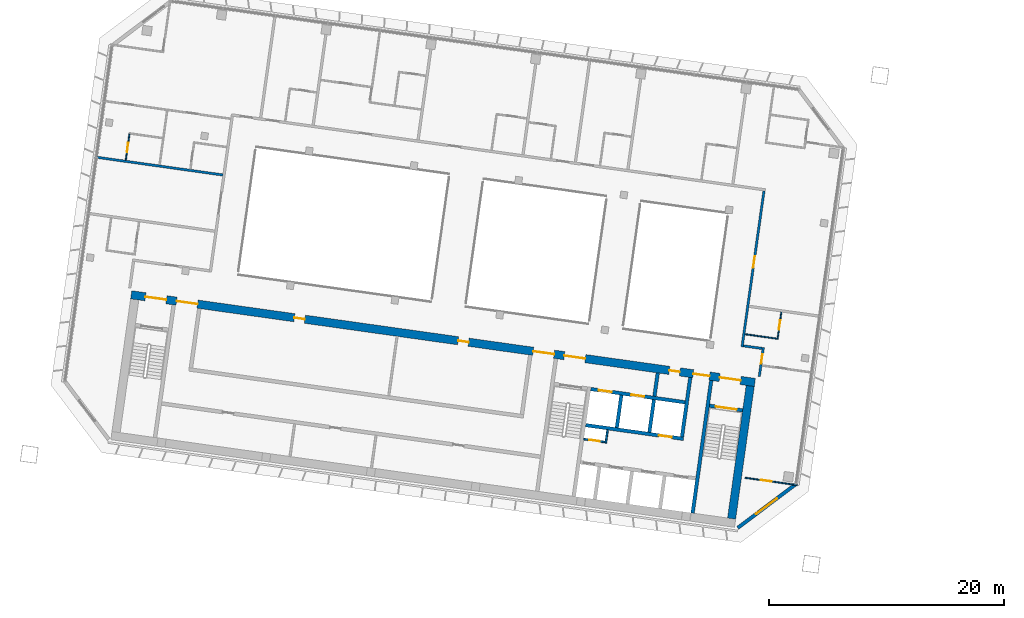
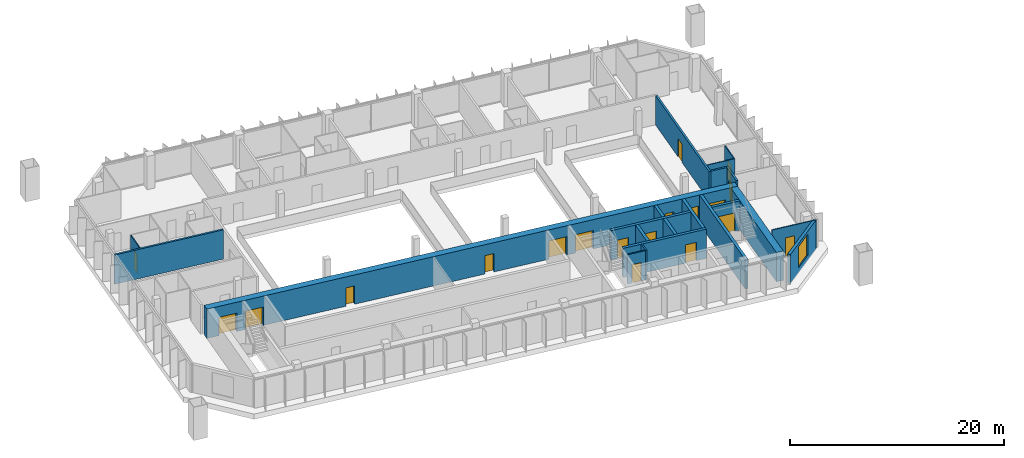
# One storey, part 16 of 26: 21 walls, 19 doors, 1 window, 20 openings.
"""IFC4 building model written with IfcOpenShell, lengths in metres."""

from ifc_helpers import new_model, si_unit, direction, frame, frame_2d, origin, place, context, subcontext, project, spatial, rectangle, extrude, material, layer, layer_set, type_object, element, fill, save


model = new_model("IFC4")

# Units and contexts
model_context = context("Model", 3, precision=1e-05, world=origin(), true_north=direction((0.0, 1.0)))
body_context = subcontext(model_context, "Body", "Model", "MODEL_VIEW")
ifc_project = project(units=[si_unit("LENGTHUNIT", "METRE"), si_unit("AREAUNIT", "SQUARE_METRE"), si_unit("VOLUMEUNIT", "CUBIC_METRE"), si_unit("PLANEANGLEUNIT", "RADIAN"), si_unit("MASSUNIT", "GRAM", prefix="KILO")], contexts=[model_context])

# Site, building, storey
site_placement = place(None, origin())
site = spatial("IfcSite", under=ifc_project, at=site_placement, CompositionType="ELEMENT")
building_placement = place(site_placement, origin())
building = spatial("IfcBuilding", under=site, at=building_placement, Name="Mirante Cascada Hotel Towers", CompositionType="ELEMENT")
storey_placement = place(building_placement, frame((0.0, 0.0, 161.2)))
storey = spatial("IfcBuildingStorey", under=building, at=storey_placement, Name="L37", CompositionType="ELEMENT", Elevation=161.2)

# Walls
ifc_material_1 = material(Name="Fire-rated plasterboard on metal studs")
ifc_layer_1 = layer(ifc_material_1, 0.2)
ifc_layer_set_1 = layer_set([ifc_layer_1], Name="Compartment wall 200 EI 120")
wall_type_1 = type_object("IfcWallType", Name="Compartment wall 200 EI 120", PredefinedType="PARTITIONING", material=ifc_layer_set_1)
wall_1_placement = place(storey_placement, frame((-36.5138, -4.518, 0.0), z_axis=(0.0, 0.0, 1.0), x_axis=(0.9902751, -0.1391229, 0.0)))
element("IfcWall", 1, at=wall_1_placement, inside=storey, type_object=wall_type_1, Name="Wall 1-L37-03", PredefinedType="PARTITIONING", context=body_context, shape_type="SweptSolid", body=[
    extrude(rectangle(XDim=1.6022, YDim=0.2, at=frame_2d((0.8011, 0.0))), origin(), (0.0, 0.0, 1.0), 3.35),
])
wall_2_placement = place(storey_placement, frame((-91.7142, 11.5542, 0.0), z_axis=(0.0, 0.0, 1.0), x_axis=(0.990268, -0.1391733, 0.0)))
element("IfcWall", 2, at=wall_2_placement, inside=storey, type_object=wall_type_1, Name="Wall 1-L37-09", PredefinedType="PARTITIONING", context=body_context, shape_type="SweptSolid", body=[
    extrude(rectangle(XDim=11.0, YDim=0.2, at=frame_2d((5.5, 0.0))), origin(), (0.0, 0.0, 1.0), 3.35),
])

# Wall, opening, door
wall_3_placement = place(storey_placement, frame((-35.1622, -7.1315, 0.0), z_axis=(0.0, 0.0, 1.0), x_axis=(0.1391586, 0.9902701, 0.0)))
wall_3 = element("IfcWall", 3, at=wall_3_placement, inside=storey, type_object=wall_type_1, Name="Wall 1-L37-28", PredefinedType="PARTITIONING", context=body_context, shape_type="SweptSolid", body=[
    extrude(rectangle(XDim=2.5, YDim=0.2, at=frame_2d((1.25, 0.0))), origin(), (0.0, 0.0, 1.0), 3.35),
])
opening_1_placement = place(wall_3_placement, frame((1.1167, 0.0, 0.0)))
opening_1 = element("IfcOpeningElement", 4, at=opening_1_placement, cuts=wall_3, Name="Opening D1-L37-23", PredefinedType="OPENING", context=body_context, shape_type="SweptSolid", body=[
    extrude(rectangle(XDim=0.8, YDim=2.1, at=frame_2d((0.4, 1.05))), frame((0.0, 0.1, 0.0), z_axis=(0.0, -1.0, 0.0), x_axis=(1.0, 0.0, 0.0)), (0.0, 0.0, 1.0), 0.2),
])
ifc_material_2 = material(Name="Fire-rated timber door leaf", Category="wood")
door_type_1 = type_object("IfcDoorType", Name="Bathroom door DG4 800x2100 EI 60", OperationType="SINGLE_SWING_LEFT", PredefinedType="DOOR", material=ifc_material_2)
door_1_placement = place(opening_1_placement, origin())
door_1 = element("IfcDoor", 5, at=door_1_placement, inside=storey, type_object=door_type_1, Name="Door D1-L37-23", OperationType="SINGLE_SWING_LEFT", OverallHeight=2.1, OverallWidth=0.8, PredefinedType="DOOR", context=body_context, shape_type="SweptSolid", body=[
    extrude(rectangle(XDim=0.8, YDim=2.1, at=frame_2d((0.4, 1.05))), frame((0.0, 0.025, 0.0), z_axis=(0.0, -1.0, 0.0), x_axis=(1.0, 0.0, 0.0)), (0.0, 0.0, 1.0), 0.05),
])
fill(opening_1, door_1)

wall_4_placement = place(storey_placement, frame((-34.7618, 8.6665, 0.0), z_axis=(0.0, 0.0, 1.0), x_axis=(-0.1391789, -0.9902673, 0.0)))
wall_4 = element("IfcWall", 6, at=wall_4_placement, inside=storey, type_object=wall_type_1, Name="Wall 1-L37-29", PredefinedType="PARTITIONING", context=body_context, shape_type="SweptSolid", body=[
    extrude(rectangle(XDim=13.4, YDim=0.2, at=frame_2d((6.7, 0.0))), origin(), (0.0, 0.0, 1.0), 3.35),
])
opening_2_placement = place(wall_4_placement, frame((5.6, 0.0, 0.0)))
opening_2 = element("IfcOpeningElement", 7, at=opening_2_placement, cuts=wall_4, Name="Opening D1-L37-24", PredefinedType="OPENING", context=body_context, shape_type="SweptSolid", body=[
    extrude(rectangle(XDim=1.0, YDim=2.1, at=frame_2d((0.5, 1.05))), frame((0.0, 0.1, 0.0), z_axis=(0.0, -1.0, 0.0), x_axis=(1.0, 0.0, 0.0)), (0.0, 0.0, 1.0), 0.2),
])
ifc_material_3 = material(Name="Fire-rated timber door leaf", Category="wood")
door_type_2 = type_object("IfcDoorType", Name="Entrance door DG1 1000x2100 EI 60", OperationType="SINGLE_SWING_LEFT", PredefinedType="DOOR", material=ifc_material_3)
door_2_placement = place(opening_2_placement, origin())
door_2 = element("IfcDoor", 8, at=door_2_placement, inside=storey, type_object=door_type_2, Name="Door D1-L37-24", OperationType="SINGLE_SWING_LEFT", OverallHeight=2.1, OverallWidth=1.0, PredefinedType="DOOR", context=body_context, shape_type="SweptSolid", body=[
    extrude(rectangle(XDim=1.0, YDim=2.1, at=frame_2d((0.5, 1.05))), frame((0.0, 0.025, 0.0), z_axis=(0.0, -1.0, 0.0), x_axis=(1.0, 0.0, 0.0)), (0.0, 0.0, 1.0), 0.05),
])
fill(opening_2, door_2)

# Wall
ifc_material_4 = material(Name="Masonry block", Category="masonry")
ifc_layer_2 = layer(ifc_material_4, 0.15)
ifc_layer_set_2 = layer_set([ifc_layer_2], Name="Core room partition 150 block EI 30")
wall_type_2 = type_object("IfcWallType", Name="Core room partition 150 block EI 30", PredefinedType="PARTITIONING", material=ifc_layer_set_2)
wall_5_placement = place(storey_placement, frame((-48.2295, -12.793, 0.0), z_axis=(0.0, 0.0, 1.0), x_axis=(0.1391935, 0.9902652, 0.0)))
element("IfcWall", 9, at=wall_5_placement, inside=storey, type_object=wall_type_2, Name="Core wall partition T1 L37 2", PredefinedType="PARTITIONING", context=body_context, shape_type="SweptSolid", body=[
    extrude(rectangle(XDim=1.1251, YDim=0.15, at=frame_2d((0.5626, 0.0))), origin(), (0.0, 0.0, 1.0), 3.35),
])

# Wall, opening, door
wall_6_placement = place(storey_placement, frame((-48.2933, -12.7083, 0.0), z_axis=(0.0, 0.0, 1.0), x_axis=(-0.990268, 0.1391734, 0.0)))
wall_6 = element("IfcWall", 10, at=wall_6_placement, inside=storey, type_object=wall_type_2, Name="Core wall partition T1 L37 3", PredefinedType="PARTITIONING", context=body_context, shape_type="SweptSolid", body=[
    extrude(rectangle(XDim=1.8251, YDim=0.15, at=frame_2d((0.9126, 0.0))), origin(), (0.0, 0.0, 1.0), 3.35),
])
opening_3_placement = place(wall_6_placement, frame((0.4625, 0.0, 0.0)))
opening_3 = element("IfcOpeningElement", 11, at=opening_3_placement, cuts=wall_6, Name="Opening D1-37-C17", PredefinedType="OPENING", context=body_context, shape_type="SweptSolid", body=[
    extrude(rectangle(XDim=0.9, YDim=2.1, at=frame_2d((0.45, 1.05))), frame((0.0, 0.075, 0.0), z_axis=(0.0, -1.0, 0.0), x_axis=(1.0, 0.0, 0.0)), (0.0, 0.0, 1.0), 0.15),
])
ifc_material_5 = material(Name="Hollow metal fire door leaf")
door_type_3 = type_object("IfcDoorType", Name="Fire door 900x2100 FD60", OperationType="NOTDEFINED", PredefinedType="DOOR", material=ifc_material_5)
door_3_placement = place(opening_3_placement, origin())
door_3 = element("IfcDoor", 12, at=door_3_placement, inside=storey, type_object=door_type_3, Name="Riser door T1 L37 17", OperationType="SINGLE_SWING_LEFT", OverallHeight=2.1, OverallWidth=0.9, PredefinedType="DOOR", context=body_context, shape_type="SweptSolid", body=[
    extrude(rectangle(XDim=0.9, YDim=2.1, at=frame_2d((0.45, 1.05))), frame((0.0, 0.025, 0.0), z_axis=(0.0, -1.0, 0.0), x_axis=(1.0, 0.0, 0.0)), (0.0, 0.0, 1.0), 0.05),
])
fill(opening_3, door_3)

# Wall
ifc_material_6 = material(Name="Masonry block", Category="masonry")
ifc_layer_3 = layer(ifc_material_6, 0.3)
ifc_layer_set_3 = layer_set([ifc_layer_3], Name="Core wall 300 block EI 120")
wall_type_3 = type_object("IfcWallType", Name="Core wall 300 block EI 120", PredefinedType="PARTITIONING", material=ifc_layer_set_3)
wall_7_placement = place(storey_placement, frame((-44.0843, -8.8061, 0.0), z_axis=(0.0, 0.0, 1.0), x_axis=(0.1391951, 0.990265, 0.0)))
element("IfcWall", 13, at=wall_7_placement, inside=storey, type_object=wall_type_3, Name="Core wall partition T1 L37 1", PredefinedType="PARTITIONING", context=body_context, shape_type="SweptSolid", body=[
    extrude(rectangle(XDim=2.0001, YDim=0.3, at=frame_2d((1.0001, 0.0))), origin(), (0.0, 0.0, 1.0), 3.35),
])

# Wall, opening, door
ifc_material_7 = material(Name="Plasterboard on metal studs")
ifc_layer_4 = layer(ifc_material_7, 0.1)
ifc_layer_set_4 = layer_set([ifc_layer_4], Name="Partition 100")
wall_type_4 = type_object("IfcWallType", Name="Partition 100", PredefinedType="PARTITIONING", material=ifc_layer_set_4)
wall_8_placement = place(storey_placement, frame((-36.373, -15.7468, 0.0), z_axis=(0.0, 0.0, 1.0), x_axis=(0.9902674, -0.1391779, 0.0)))
wall_8 = element("IfcWall", 14, at=wall_8_placement, inside=storey, type_object=wall_type_4, Name="Wall 1-L37-01", PredefinedType="PARTITIONING", context=body_context, shape_type="SweptSolid", body=[
    extrude(rectangle(XDim=4.5, YDim=0.1, at=frame_2d((2.25, 0.0))), origin(), (0.0, 0.0, 1.0), 3.35),
])
opening_4_placement = place(wall_8_placement, frame((1.3691, 0.0, 0.0)))
opening_4 = element("IfcOpeningElement", 15, at=opening_4_placement, cuts=wall_8, Name="Opening D1-L37-01", PredefinedType="OPENING", context=body_context, shape_type="SweptSolid", body=[
    extrude(rectangle(XDim=0.9, YDim=2.1, at=frame_2d((0.45, 1.05))), frame((0.0, 0.05, 0.0), z_axis=(0.0, -1.0, 0.0), x_axis=(1.0, 0.0, 0.0)), (0.0, 0.0, 1.0), 0.1),
])
ifc_material_8 = material(Name="Timber door leaf", Category="wood")
door_type_4 = type_object("IfcDoorType", Name="Room door DG3 900x2100", OperationType="SINGLE_SWING_LEFT", PredefinedType="DOOR", material=ifc_material_8)
door_4_placement = place(opening_4_placement, origin())
door_4 = element("IfcDoor", 16, at=door_4_placement, inside=storey, type_object=door_type_4, Name="Door D1-L37-01", OperationType="SINGLE_SWING_LEFT", OverallHeight=2.1, OverallWidth=0.9, PredefinedType="DOOR", context=body_context, shape_type="SweptSolid", body=[
    extrude(rectangle(XDim=0.9, YDim=2.1, at=frame_2d((0.45, 1.05))), frame((0.0, 0.025, 0.0), z_axis=(0.0, -1.0, 0.0), x_axis=(1.0, 0.0, 0.0)), (0.0, 0.0, 1.0), 0.05),
])
fill(opening_4, door_4)

# Wall
wall_9_placement = place(storey_placement, frame((-33.5524, -3.9243, 0.0), z_axis=(0.0, 0.0, 1.0), x_axis=(-0.9902704, 0.1391564, 0.0)))
element("IfcWall", 17, at=wall_9_placement, inside=storey, type_object=wall_type_4, Name="Wall 1-L37-06", PredefinedType="PARTITIONING", context=body_context, shape_type="SweptSolid", body=[
    extrude(rectangle(XDim=2.85, YDim=0.1, at=frame_2d((1.425, 0.0))), origin(), (0.0, 0.0, 1.0), 3.35),
])

# Wall, opening, door
wall_10_placement = place(storey_placement, frame((-33.5949, -3.8679, 0.0), z_axis=(0.0, 0.0, 1.0), x_axis=(0.1391561, 0.9902705, 0.0)))
wall_10 = element("IfcWall", 18, at=wall_10_placement, inside=storey, type_object=wall_type_4, Name="Wall 1-L37-26", PredefinedType="PARTITIONING", context=body_context, shape_type="SweptSolid", body=[
    extrude(rectangle(XDim=2.25, YDim=0.1, at=frame_2d((1.125, 0.0))), origin(), (0.0, 0.0, 1.0), 3.35),
])
opening_5_placement = place(wall_10_placement, frame((0.75, 0.0, 0.0)))
opening_5 = element("IfcOpeningElement", 19, at=opening_5_placement, cuts=wall_10, Name="Opening D1-L37-21", PredefinedType="OPENING", context=body_context, shape_type="SweptSolid", body=[
    extrude(rectangle(XDim=0.8, YDim=2.1, at=frame_2d((0.4, 1.05))), frame((0.0, 0.05, 0.0), z_axis=(0.0, -1.0, 0.0), x_axis=(1.0, 0.0, 0.0)), (0.0, 0.0, 1.0), 0.1),
])
ifc_material_9 = material(Name="Timber door leaf", Category="wood")
door_type_5 = type_object("IfcDoorType", Name="Bathroom door DG4 800x2100", OperationType="SINGLE_SWING_LEFT", PredefinedType="DOOR", material=ifc_material_9)
door_5_placement = place(opening_5_placement, frame((0.8, 0.0, 0.0), z_axis=(0.0, 0.0, 1.0), x_axis=(-1.0, 0.0, 0.0)))
door_5 = element("IfcDoor", 20, at=door_5_placement, inside=storey, type_object=door_type_5, Name="Door D1-L37-21", OperationType="SINGLE_SWING_RIGHT", OverallHeight=2.1, OverallWidth=0.8, PredefinedType="DOOR", context=body_context, shape_type="SweptSolid", body=[
    extrude(rectangle(XDim=0.8, YDim=2.1, at=frame_2d((0.4, 1.05))), frame((0.0, 0.025, 0.0), z_axis=(0.0, -1.0, 0.0), x_axis=(1.0, 0.0, 0.0)), (0.0, 0.0, 1.0), 0.05),
])
fill(opening_5, door_5)

wall_11_placement = place(storey_placement, frame((-88.763, 13.5125, 0.0), z_axis=(0.0, 0.0, 1.0), x_axis=(-0.1391561, -0.9902705, 0.0)))
wall_11 = element("IfcWall", 21, at=wall_11_placement, inside=storey, type_object=wall_type_4, Name="Wall 1-L37-51", PredefinedType="PARTITIONING", context=body_context, shape_type="SweptSolid", body=[
    extrude(rectangle(XDim=2.25, YDim=0.1, at=frame_2d((1.125, 0.0))), origin(), (0.0, 0.0, 1.0), 3.35),
])
opening_6_placement = place(wall_11_placement, frame((0.75, 0.0, 0.0)))
opening_6 = element("IfcOpeningElement", 22, at=opening_6_placement, cuts=wall_11, Name="Opening D1-L37-30", PredefinedType="OPENING", context=body_context, shape_type="SweptSolid", body=[
    extrude(rectangle(XDim=0.8, YDim=2.1, at=frame_2d((0.4, 1.05))), frame((0.0, 0.05, 0.0), z_axis=(0.0, -1.0, 0.0), x_axis=(1.0, 0.0, 0.0)), (0.0, 0.0, 1.0), 0.1),
])
door_6_placement = place(opening_6_placement, origin())
door_6 = element("IfcDoor", 23, at=door_6_placement, inside=storey, type_object=door_type_5, Name="Door D1-L37-30", OperationType="SINGLE_SWING_LEFT", OverallHeight=2.1, OverallWidth=0.8, PredefinedType="DOOR", context=body_context, shape_type="SweptSolid", body=[
    extrude(rectangle(XDim=0.8, YDim=2.1, at=frame_2d((0.4, 1.05))), frame((0.0, 0.025, 0.0), z_axis=(0.0, -1.0, 0.0), x_axis=(1.0, 0.0, 0.0)), (0.0, 0.0, 1.0), 0.05),
])
fill(opening_6, door_6)

# Wall, opening, window
ifc_material_10 = material(Name="Precast concrete C40/50", Category="concrete")
ifc_layer_5 = layer(ifc_material_10, 0.3)
ifc_layer_set_5 = layer_set([ifc_layer_5], Name="Precast concrete C40/50 cladding wall 300")
wall_type_5 = type_object("IfcWallType", Name="Precast concrete C40/50 cladding wall 300", PredefinedType="STANDARD", material=ifc_layer_set_5)
wall_12_placement = place(storey_placement, frame((-32.1062, -16.328, 0.0), z_axis=(0.0, 0.0, 1.0), x_axis=(-0.7986362, -0.6018141, 0.0)))
wall_12 = element("IfcWall", 24, at=wall_12_placement, inside=storey, type_object=wall_type_5, Name="Corner cladding wall T1 L37 inner rear", PredefinedType="STANDARD", context=body_context, shape_type="SweptSolid", body=[
    extrude(rectangle(XDim=6.1157, YDim=0.3, at=frame_2d((3.0578, 0.0))), origin(), (0.0, 0.0, 1.0), 3.35),
])
opening_7_placement = place(wall_12_placement, frame((1.9578, 0.0, 0.6)))
opening_7 = element("IfcOpeningElement", 25, at=opening_7_placement, cuts=wall_12, Name="Opening W1-37-04", PredefinedType="OPENING", context=body_context, shape_type="SweptSolid", body=[
    extrude(rectangle(XDim=2.2, YDim=2.4, at=frame_2d((1.1, 1.2))), frame((0.0, 0.15, 0.0), z_axis=(0.0, -1.0, 0.0), x_axis=(1.0, 0.0, 0.0)), (0.0, 0.0, 1.0), 0.3),
])
ifc_material_11 = material(Name="Aluminium frame with clear double glazing", Category="aluminium")
window_type = type_object("IfcWindowType", Name="Corner suite window 2200x2400", PartitioningType="DOUBLE_PANEL_VERTICAL", PredefinedType="WINDOW", material=ifc_material_11)
window_placement = place(opening_7_placement, origin())
window = element("IfcWindow", 26, at=window_placement, inside=storey, type_object=window_type, Name="Window W1-37-04", OverallHeight=2.4, OverallWidth=2.2, PartitioningType="SINGLE_PANEL", PredefinedType="WINDOW", context=body_context, shape_type="SweptSolid", body=[
    extrude(rectangle(XDim=2.2, YDim=2.4, at=frame_2d((1.1, 1.2))), frame((0.0, 0.03, 0.0), z_axis=(0.0, -1.0, 0.0), x_axis=(1.0, 0.0, 0.0)), (0.0, 0.0, 1.0), 0.06),
])
fill(opening_7, window)

# Wall
ifc_material_12 = material(Name="Concrete C50/60", Category="concrete")
ifc_layer_6 = layer(ifc_material_12, 0.3)
ifc_layer_set_6 = layer_set([ifc_layer_6], Name="RC core wall 300 C50/60")
wall_type_6 = type_object("IfcWallType", Name="RC core wall 300 C50/60", PredefinedType="SHEAR", material=ifc_layer_set_6)
wall_13_placement = place(storey_placement, frame((-40.8373, -18.7548, 0.0), z_axis=(0.0, 0.0, 1.0), x_axis=(0.1391749, 0.9902678, 0.0)))
element("IfcWall", 27, at=wall_13_placement, inside=storey, type_object=wall_type_6, Name="Core wall T1:L37:5", PredefinedType="SHEAR", context=body_context, shape_type="SweptSolid", body=[
    extrude(rectangle(XDim=11.4, YDim=0.3, at=frame_2d((5.7, 0.0))), origin(), (0.0, 0.0, 1.0), 3.35),
])

# Wall, opening, door
wall_14_placement = place(storey_placement, frame((-36.5791, -10.0123, 0.0), z_axis=(0.0, 0.0, 1.0), x_axis=(-0.9902704, 0.1391564, 0.0)))
wall_14 = element("IfcWall", 28, at=wall_14_placement, inside=storey, type_object=wall_type_6, Name="Core wall T1:L37:9", PredefinedType="SHEAR", context=body_context, shape_type="SweptSolid", body=[
    extrude(rectangle(XDim=2.85, YDim=0.3, at=frame_2d((1.425, 0.0))), origin(), (0.0, 0.0, 1.0), 3.35),
])
opening_8_placement = place(wall_14_placement, frame((0.525, 0.0, 0.0)))
opening_8 = element("IfcOpeningElement", 29, at=opening_8_placement, cuts=wall_14, Name="Opening D1-37-C07", PredefinedType="OPENING", context=body_context, shape_type="SweptSolid", body=[
    extrude(rectangle(XDim=1.8, YDim=2.1, at=frame_2d((0.9, 1.05))), frame((0.0, 0.15, 0.0), z_axis=(0.0, -1.0, 0.0), x_axis=(1.0, 0.0, 0.0)), (0.0, 0.0, 1.0), 0.3),
])
ifc_material_13 = material(Name="Hollow metal fire door leaf")
door_type_6 = type_object("IfcDoorType", Name="Double fire door 1800x2100 FD60", OperationType="DOUBLE_DOOR_SINGLE_SWING", PredefinedType="DOOR", material=ifc_material_13)
door_7_placement = place(opening_8_placement, origin())
door_7 = element("IfcDoor", 30, at=door_7_placement, inside=storey, type_object=door_type_6, Name="Stair door T1 L37 7", OperationType="DOUBLE_DOOR_SINGLE_SWING", OverallHeight=2.1, OverallWidth=1.8, PredefinedType="DOOR", context=body_context, shape_type="SweptSolid", body=[
    extrude(rectangle(XDim=0.895, YDim=2.1, at=frame_2d((0.4475, 1.05))), frame((0.0, 0.025, 0.0), z_axis=(0.0, -1.0, 0.0), x_axis=(1.0, 0.0, 0.0)), (0.0, 0.0, 1.0), 0.05),
    extrude(rectangle(XDim=0.895, YDim=2.1, at=frame_2d((1.3525, 1.05))), frame((0.0, 0.025, 0.0), z_axis=(0.0, -1.0, 0.0), x_axis=(1.0, 0.0, 0.0)), (0.0, 0.0, 1.0), 0.05),
])
fill(opening_8, door_7)

wall_15_placement = place(storey_placement, frame((-41.6153, -12.435, 0.0), z_axis=(0.0, 0.0, 1.0), x_axis=(-0.9902691, 0.139166, 0.0)))
wall_15 = element("IfcWall", 31, at=wall_15_placement, inside=storey, type_object=wall_type_6, Name="Core wall T1:L37:13", PredefinedType="SHEAR", context=body_context, shape_type="SweptSolid", body=[
    extrude(rectangle(XDim=8.4, YDim=0.3, at=frame_2d((4.2, 0.0))), origin(), (0.0, 0.0, 1.0), 3.35),
])
opening_9_placement = place(wall_15_placement, frame((1.0, 0.0, 0.0)))
opening_9 = element("IfcOpeningElement", 32, at=opening_9_placement, cuts=wall_15, Name="Opening LD", PredefinedType="OPENING", context=body_context, shape_type="SweptSolid", body=[
    extrude(rectangle(XDim=1.1, YDim=2.1, at=frame_2d((0.55, 1.05))), frame((0.0, 0.15, 0.0), z_axis=(0.0, -1.0, 0.0), x_axis=(1.0, 0.0, 0.0)), (0.0, 0.0, 1.0), 0.3),
])
ifc_material_14 = material(Name="Stainless steel", Category="steel")
door_type_7 = type_object("IfcDoorType", Name="Lift landing door 1100x2100 EI 120", OperationType="DOUBLE_DOOR_SLIDING", PredefinedType="DOOR", material=ifc_material_14)
door_8_placement = place(opening_9_placement, origin())
door_8 = element("IfcDoor", 33, at=door_8_placement, inside=storey, type_object=door_type_7, Name="Lift landing door HR1-4 L37", OperationType="DOUBLE_DOOR_SLIDING", OverallHeight=2.1, OverallWidth=1.1, PredefinedType="DOOR", context=body_context, shape_type="SweptSolid", body=[
    extrude(rectangle(XDim=0.545, YDim=2.1, at=frame_2d((0.2725, 1.05))), frame((0.0, 0.025, 0.0), z_axis=(0.0, -1.0, 0.0), x_axis=(1.0, 0.0, 0.0)), (0.0, 0.0, 1.0), 0.05),
    extrude(rectangle(XDim=0.545, YDim=2.1, at=frame_2d((0.8275, 1.05))), frame((0.0, 0.025, 0.0), z_axis=(0.0, -1.0, 0.0), x_axis=(1.0, 0.0, 0.0)), (0.0, 0.0, 1.0), 0.05),
])
fill(opening_9, door_8)

# Wall, openings, doors
wall_16_placement = place(storey_placement, frame((-41.481, -9.3234, 0.0), z_axis=(0.0, 0.0, 1.0), x_axis=(-0.9902679, 0.1391741, 0.0)))
wall_16 = element("IfcWall", 34, at=wall_16_placement, inside=storey, type_object=wall_type_6, Name="Core wall T1:L37:14", PredefinedType="SHEAR", context=body_context, shape_type="SweptSolid", body=[
    extrude(rectangle(XDim=8.0999, YDim=0.3, at=frame_2d((4.05, 0.0))), origin(), (0.0, 0.0, 1.0), 3.35),
])
opening_10_placement = place(wall_16_placement, frame((3.5, 0.0, 0.0)))
opening_10 = element("IfcOpeningElement", 35, at=opening_10_placement, cuts=wall_16, Name="Opening LD", PredefinedType="OPENING", context=body_context, shape_type="SweptSolid", body=[
    extrude(rectangle(XDim=1.1, YDim=2.1, at=frame_2d((0.55, 1.05))), frame((0.0, 0.15, 0.0), z_axis=(0.0, -1.0, 0.0), x_axis=(1.0, 0.0, 0.0)), (0.0, 0.0, 1.0), 0.3),
])
opening_11_placement = place(wall_16_placement, frame((6.3, 0.0, 0.0)))
opening_11 = element("IfcOpeningElement", 36, at=opening_11_placement, cuts=wall_16, Name="Opening LD", PredefinedType="OPENING", context=body_context, shape_type="SweptSolid", body=[
    extrude(rectangle(XDim=1.1, YDim=2.1, at=frame_2d((0.55, 1.05))), frame((0.0, 0.15, 0.0), z_axis=(0.0, -1.0, 0.0), x_axis=(1.0, 0.0, 0.0)), (0.0, 0.0, 1.0), 0.3),
])
door_9_placement = place(opening_10_placement, origin())
door_9 = element("IfcDoor", 37, at=door_9_placement, inside=storey, type_object=door_type_7, Name="Lift landing door FF1 L37", OperationType="DOUBLE_DOOR_SLIDING", OverallHeight=2.1, OverallWidth=1.1, PredefinedType="DOOR", context=body_context, shape_type="SweptSolid", body=[
    extrude(rectangle(XDim=0.545, YDim=2.1, at=frame_2d((0.2725, 1.05))), frame((0.0, 0.025, 0.0), z_axis=(0.0, -1.0, 0.0), x_axis=(1.0, 0.0, 0.0)), (0.0, 0.0, 1.0), 0.05),
    extrude(rectangle(XDim=0.545, YDim=2.1, at=frame_2d((0.8275, 1.05))), frame((0.0, 0.025, 0.0), z_axis=(0.0, -1.0, 0.0), x_axis=(1.0, 0.0, 0.0)), (0.0, 0.0, 1.0), 0.05),
])
fill(opening_10, door_9)
door_10_placement = place(opening_11_placement, origin())
door_10 = element("IfcDoor", 38, at=door_10_placement, inside=storey, type_object=door_type_7, Name="Lift landing door FF2 L37", OperationType="DOUBLE_DOOR_SLIDING", OverallHeight=2.1, OverallWidth=1.1, PredefinedType="DOOR", context=body_context, shape_type="SweptSolid", body=[
    extrude(rectangle(XDim=0.545, YDim=2.1, at=frame_2d((0.2725, 1.05))), frame((0.0, 0.025, 0.0), z_axis=(0.0, -1.0, 0.0), x_axis=(1.0, 0.0, 0.0)), (0.0, 0.0, 1.0), 0.05),
    extrude(rectangle(XDim=0.545, YDim=2.1, at=frame_2d((0.8275, 1.05))), frame((0.0, 0.025, 0.0), z_axis=(0.0, -1.0, 0.0), x_axis=(1.0, 0.0, 0.0)), (0.0, 0.0, 1.0), 0.05),
])
fill(opening_11, door_10)

# Walls
for number, where, z_axis, x_axis, name in (
    (39, (-44.5157, -11.8759, 0.0), (0.0, 0.0, 1.0), (0.139181, 0.990267, 0.0), "Core wall T1:L37:18"),
    (40, (-47.2885, -11.4862, 0.0), (0.0, 0.0, 1.0), (0.139181, 0.990267, 0.0), "Core wall T1:L37:19"),
):
    element("IfcWall", number, at=place(storey_placement, frame(where, z_axis=z_axis, x_axis=x_axis)), inside=storey, type_object=wall_type_6, Name=name, PredefinedType="SHEAR", context=body_context, shape_type="SweptSolid", body=[
        extrude(rectangle(XDim=2.8, YDim=0.3, at=frame_2d((1.4, 0.0))), origin(), (0.0, 0.0, 1.0), 3.35),
    ])
wall_17_placement = place(storey_placement, frame((-41.743, -12.2656, 0.0), z_axis=(0.0, 0.0, 1.0), x_axis=(0.1391755, 0.9902677, 0.0)))
element("IfcWall", 41, at=wall_17_placement, inside=storey, type_object=wall_type_6, Name="Core wall T1:L37:20", PredefinedType="SHEAR", context=body_context, shape_type="SweptSolid", body=[
    extrude(rectangle(XDim=5.1, YDim=0.3, at=frame_2d((2.55, 0.0))), origin(), (0.0, 0.0, 1.0), 3.35),
])

# Wall, openings, doors
ifc_material_15 = material(Name="Concrete C50/60", Category="concrete")
ifc_layer_7 = layer(ifc_material_15, 0.7)
ifc_layer_set_7 = layer_set([ifc_layer_7], Name="RC core wall 700 C50/60")
wall_type_7 = type_object("IfcWallType", Name="RC core wall 700 C50/60", PredefinedType="SHEAR", material=ifc_layer_set_7)
wall_18_placement = place(storey_placement, frame((-35.538, -7.6341, 0.0), z_axis=(0.0, 0.0, 1.0), x_axis=(-0.990268, 0.1391734, 0.0)))
wall_18 = element("IfcWall", 42, at=wall_18_placement, inside=storey, type_object=wall_type_7, Name="Core wall T1:L37:2", PredefinedType="SHEAR", context=body_context, shape_type="SweptSolid", body=[
    extrude(rectangle(XDim=53.6, YDim=0.7, at=frame_2d((26.8, 0.0))), origin(), (0.0, 0.0, 1.0), 3.35),
])
opening_12_placement = place(wall_18_placement, frame((1.225, 0.0, 0.0)))
opening_12 = element("IfcOpeningElement", 43, at=opening_12_placement, cuts=wall_18, Name="Opening D1-37-C08", PredefinedType="OPENING", context=body_context, shape_type="SweptSolid", body=[
    extrude(rectangle(XDim=1.8, YDim=2.1, at=frame_2d((0.9, 1.05))), frame((0.0, 0.35, 0.0), z_axis=(0.0, -1.0, 0.0), x_axis=(1.0, 0.0, 0.0)), (0.0, 0.0, 1.0), 0.7),
])
opening_13_placement = place(wall_18_placement, frame((14.575, 0.0, 0.0)))
opening_13 = element("IfcOpeningElement", 44, at=opening_13_placement, cuts=wall_18, Name="Opening D1-37-C10", PredefinedType="OPENING", context=body_context, shape_type="SweptSolid", body=[
    extrude(rectangle(XDim=1.8, YDim=2.1, at=frame_2d((0.9, 1.05))), frame((0.0, 0.35, 0.0), z_axis=(0.0, -1.0, 0.0), x_axis=(1.0, 0.0, 0.0)), (0.0, 0.0, 1.0), 0.7),
])
opening_14_placement = place(wall_18_placement, frame((50.575, 0.0, 0.0)))
opening_14 = element("IfcOpeningElement", 45, at=opening_14_placement, cuts=wall_18, Name="Opening D1-37-C12", PredefinedType="OPENING", context=body_context, shape_type="SweptSolid", body=[
    extrude(rectangle(XDim=1.8, YDim=2.1, at=frame_2d((0.9, 1.05))), frame((0.0, 0.35, 0.0), z_axis=(0.0, -1.0, 0.0), x_axis=(1.0, 0.0, 0.0)), (0.0, 0.0, 1.0), 0.7),
])
opening_15_placement = place(wall_18_placement, frame((3.9, 0.0, 0.0)))
opening_15 = element("IfcOpeningElement", 46, at=opening_15_placement, cuts=wall_18, Name="Opening D1-37-C13", PredefinedType="OPENING", context=body_context, shape_type="SweptSolid", body=[
    extrude(rectangle(XDim=1.4, YDim=2.1, at=frame_2d((0.7, 1.05))), frame((0.0, 0.35, 0.0), z_axis=(0.0, -1.0, 0.0), x_axis=(1.0, 0.0, 0.0)), (0.0, 0.0, 1.0), 0.7),
])
opening_16_placement = place(wall_18_placement, frame((17.25, 0.0, 0.0)))
opening_16 = element("IfcOpeningElement", 47, at=opening_16_placement, cuts=wall_18, Name="Opening D1-37-C14", PredefinedType="OPENING", context=body_context, shape_type="SweptSolid", body=[
    extrude(rectangle(XDim=1.8, YDim=2.1, at=frame_2d((0.9, 1.05))), frame((0.0, 0.35, 0.0), z_axis=(0.0, -1.0, 0.0), x_axis=(1.0, 0.0, 0.0)), (0.0, 0.0, 1.0), 0.7),
])
opening_17_placement = place(wall_18_placement, frame((47.9, 0.0, 0.0)))
opening_17 = element("IfcOpeningElement", 48, at=opening_17_placement, cuts=wall_18, Name="Opening D1-37-C15", PredefinedType="OPENING", context=body_context, shape_type="SweptSolid", body=[
    extrude(rectangle(XDim=1.8, YDim=2.1, at=frame_2d((0.9, 1.05))), frame((0.0, 0.35, 0.0), z_axis=(0.0, -1.0, 0.0), x_axis=(1.0, 0.0, 0.0)), (0.0, 0.0, 1.0), 0.7),
])
opening_18_placement = place(wall_18_placement, frame((6.45, 0.0, 0.0)))
opening_18 = element("IfcOpeningElement", 49, at=opening_18_placement, cuts=wall_18, Name="Opening D1-37-C18", PredefinedType="OPENING", context=body_context, shape_type="SweptSolid", body=[
    extrude(rectangle(XDim=0.9, YDim=2.1, at=frame_2d((0.45, 1.05))), frame((0.0, 0.35, 0.0), z_axis=(0.0, -1.0, 0.0), x_axis=(1.0, 0.0, 0.0)), (0.0, 0.0, 1.0), 0.7),
])
opening_19_placement = place(wall_18_placement, frame((24.6, 0.0, 0.0)))
opening_19 = element("IfcOpeningElement", 50, at=opening_19_placement, cuts=wall_18, Name="Opening D1-37-C22", PredefinedType="OPENING", context=body_context, shape_type="SweptSolid", body=[
    extrude(rectangle(XDim=0.9, YDim=2.1, at=frame_2d((0.45, 1.05))), frame((0.0, 0.35, 0.0), z_axis=(0.0, -1.0, 0.0), x_axis=(1.0, 0.0, 0.0)), (0.0, 0.0, 1.0), 0.7),
])
opening_20_placement = place(wall_18_placement, frame((38.675, 0.0, 0.0)))
opening_20 = element("IfcOpeningElement", 51, at=opening_20_placement, cuts=wall_18, Name="Opening D1-37-C23", PredefinedType="OPENING", context=body_context, shape_type="SweptSolid", body=[
    extrude(rectangle(XDim=0.9, YDim=2.1, at=frame_2d((0.45, 1.05))), frame((0.0, 0.35, 0.0), z_axis=(0.0, -1.0, 0.0), x_axis=(1.0, 0.0, 0.0)), (0.0, 0.0, 1.0), 0.7),
])
ifc_material_16 = material(Name="Hollow metal fire door leaf")
door_type_8 = type_object("IfcDoorType", Name="Double fire door 1400x2100 FD60", OperationType="DOUBLE_DOOR_SINGLE_SWING", PredefinedType="DOOR", material=ifc_material_16)
door_11_placement = place(opening_15_placement, frame((1.4, 0.0, 0.0), z_axis=(0.0, 0.0, 1.0), x_axis=(-1.0, 0.0, 0.0)))
door_11 = element("IfcDoor", 52, at=door_11_placement, inside=storey, type_object=door_type_8, Name="Exit door to gallery T1 L37 13", OperationType="DOUBLE_DOOR_SINGLE_SWING", OverallHeight=2.1, OverallWidth=1.4, PredefinedType="DOOR", context=body_context, shape_type="SweptSolid", body=[
    extrude(rectangle(XDim=0.695, YDim=2.1, at=frame_2d((0.3475, 1.05))), frame((0.0, 0.025, 0.0), z_axis=(0.0, -1.0, 0.0), x_axis=(1.0, 0.0, 0.0)), (0.0, 0.0, 1.0), 0.05),
    extrude(rectangle(XDim=0.695, YDim=2.1, at=frame_2d((1.0525, 1.05))), frame((0.0, 0.025, 0.0), z_axis=(0.0, -1.0, 0.0), x_axis=(1.0, 0.0, 0.0)), (0.0, 0.0, 1.0), 0.05),
])
fill(opening_15, door_11)
door_12_placement = place(opening_12_placement, origin())
door_12 = element("IfcDoor", 53, at=door_12_placement, inside=storey, type_object=door_type_6, Name="Exit door to gallery T1 L37 8", OperationType="DOUBLE_DOOR_SINGLE_SWING", OverallHeight=2.1, OverallWidth=1.8, PredefinedType="DOOR", context=body_context, shape_type="SweptSolid", body=[
    extrude(rectangle(XDim=0.895, YDim=2.1, at=frame_2d((0.4475, 1.05))), frame((0.0, 0.025, 0.0), z_axis=(0.0, -1.0, 0.0), x_axis=(1.0, 0.0, 0.0)), (0.0, 0.0, 1.0), 0.05),
    extrude(rectangle(XDim=0.895, YDim=2.1, at=frame_2d((1.3525, 1.05))), frame((0.0, 0.025, 0.0), z_axis=(0.0, -1.0, 0.0), x_axis=(1.0, 0.0, 0.0)), (0.0, 0.0, 1.0), 0.05),
])
fill(opening_12, door_12)
door_13_placement = place(opening_13_placement, origin())
door_13 = element("IfcDoor", 54, at=door_13_placement, inside=storey, type_object=door_type_6, Name="Exit door to gallery T1 L37 10", OperationType="DOUBLE_DOOR_SINGLE_SWING", OverallHeight=2.1, OverallWidth=1.8, PredefinedType="DOOR", context=body_context, shape_type="SweptSolid", body=[
    extrude(rectangle(XDim=0.895, YDim=2.1, at=frame_2d((0.4475, 1.05))), frame((0.0, 0.025, 0.0), z_axis=(0.0, -1.0, 0.0), x_axis=(1.0, 0.0, 0.0)), (0.0, 0.0, 1.0), 0.05),
    extrude(rectangle(XDim=0.895, YDim=2.1, at=frame_2d((1.3525, 1.05))), frame((0.0, 0.025, 0.0), z_axis=(0.0, -1.0, 0.0), x_axis=(1.0, 0.0, 0.0)), (0.0, 0.0, 1.0), 0.05),
])
fill(opening_13, door_13)
door_14_placement = place(opening_14_placement, origin())
door_14 = element("IfcDoor", 55, at=door_14_placement, inside=storey, type_object=door_type_6, Name="Exit door to gallery T1 L37 12", OperationType="DOUBLE_DOOR_SINGLE_SWING", OverallHeight=2.1, OverallWidth=1.8, PredefinedType="DOOR", context=body_context, shape_type="SweptSolid", body=[
    extrude(rectangle(XDim=0.895, YDim=2.1, at=frame_2d((0.4475, 1.05))), frame((0.0, 0.025, 0.0), z_axis=(0.0, -1.0, 0.0), x_axis=(1.0, 0.0, 0.0)), (0.0, 0.0, 1.0), 0.05),
    extrude(rectangle(XDim=0.895, YDim=2.1, at=frame_2d((1.3525, 1.05))), frame((0.0, 0.025, 0.0), z_axis=(0.0, -1.0, 0.0), x_axis=(1.0, 0.0, 0.0)), (0.0, 0.0, 1.0), 0.05),
])
fill(opening_14, door_14)
door_15_placement = place(opening_16_placement, frame((1.8, 0.0, 0.0), z_axis=(0.0, 0.0, 1.0), x_axis=(-1.0, 0.0, 0.0)))
door_15 = element("IfcDoor", 56, at=door_15_placement, inside=storey, type_object=door_type_6, Name="Exit door to gallery T1 L37 14", OperationType="DOUBLE_DOOR_SINGLE_SWING", OverallHeight=2.1, OverallWidth=1.8, PredefinedType="DOOR", context=body_context, shape_type="SweptSolid", body=[
    extrude(rectangle(XDim=0.895, YDim=2.1, at=frame_2d((0.4475, 1.05))), frame((0.0, 0.025, 0.0), z_axis=(0.0, -1.0, 0.0), x_axis=(1.0, 0.0, 0.0)), (0.0, 0.0, 1.0), 0.05),
    extrude(rectangle(XDim=0.895, YDim=2.1, at=frame_2d((1.3525, 1.05))), frame((0.0, 0.025, 0.0), z_axis=(0.0, -1.0, 0.0), x_axis=(1.0, 0.0, 0.0)), (0.0, 0.0, 1.0), 0.05),
])
fill(opening_16, door_15)
door_16_placement = place(opening_17_placement, frame((1.8, 0.0, 0.0), z_axis=(0.0, 0.0, 1.0), x_axis=(-1.0, 0.0, 0.0)))
door_16 = element("IfcDoor", 57, at=door_16_placement, inside=storey, type_object=door_type_6, Name="Exit door to gallery T1 L37 15", OperationType="DOUBLE_DOOR_SINGLE_SWING", OverallHeight=2.1, OverallWidth=1.8, PredefinedType="DOOR", context=body_context, shape_type="SweptSolid", body=[
    extrude(rectangle(XDim=0.895, YDim=2.1, at=frame_2d((0.4475, 1.05))), frame((0.0, 0.025, 0.0), z_axis=(0.0, -1.0, 0.0), x_axis=(1.0, 0.0, 0.0)), (0.0, 0.0, 1.0), 0.05),
    extrude(rectangle(XDim=0.895, YDim=2.1, at=frame_2d((1.3525, 1.05))), frame((0.0, 0.025, 0.0), z_axis=(0.0, -1.0, 0.0), x_axis=(1.0, 0.0, 0.0)), (0.0, 0.0, 1.0), 0.05),
])
fill(opening_17, door_16)
door_17_placement = place(opening_18_placement, origin())
door_17 = element("IfcDoor", 58, at=door_17_placement, inside=storey, type_object=door_type_3, Name="Room door T1 L37 18", OperationType="SINGLE_SWING_RIGHT", OverallHeight=2.1, OverallWidth=0.9, PredefinedType="DOOR", context=body_context, shape_type="SweptSolid", body=[
    extrude(rectangle(XDim=0.9, YDim=2.1, at=frame_2d((0.45, 1.05))), frame((0.0, 0.025, 0.0), z_axis=(0.0, -1.0, 0.0), x_axis=(1.0, 0.0, 0.0)), (0.0, 0.0, 1.0), 0.05),
])
fill(opening_18, door_17)
door_18_placement = place(opening_19_placement, origin())
door_18 = element("IfcDoor", 59, at=door_18_placement, inside=storey, type_object=door_type_3, Name="Room door T1 L37 22", OperationType="SINGLE_SWING_RIGHT", OverallHeight=2.1, OverallWidth=0.9, PredefinedType="DOOR", context=body_context, shape_type="SweptSolid", body=[
    extrude(rectangle(XDim=0.9, YDim=2.1, at=frame_2d((0.45, 1.05))), frame((0.0, 0.025, 0.0), z_axis=(0.0, -1.0, 0.0), x_axis=(1.0, 0.0, 0.0)), (0.0, 0.0, 1.0), 0.05),
])
fill(opening_19, door_18)
door_19_placement = place(opening_20_placement, origin())
door_19 = element("IfcDoor", 60, at=door_19_placement, inside=storey, type_object=door_type_3, Name="Room door T1 L37 23", OperationType="SINGLE_SWING_LEFT", OverallHeight=2.1, OverallWidth=0.9, PredefinedType="DOOR", context=body_context, shape_type="SweptSolid", body=[
    extrude(rectangle(XDim=0.9, YDim=2.1, at=frame_2d((0.45, 1.05))), frame((0.0, 0.025, 0.0), z_axis=(0.0, -1.0, 0.0), x_axis=(1.0, 0.0, 0.0)), (0.0, 0.0, 1.0), 0.05),
])
fill(opening_20, door_19)

# Wall
wall_19_placement = place(storey_placement, frame((-37.5199, -19.221, 0.0), z_axis=(0.0, 0.0, 1.0), x_axis=(0.1391761, 0.9902677, 0.0)))
element("IfcWall", 61, at=wall_19_placement, inside=storey, type_object=wall_type_7, Name="Core wall T1:L37:3", PredefinedType="SHEAR", context=body_context, shape_type="SweptSolid", body=[
    extrude(rectangle(XDim=11.3999, YDim=0.7, at=frame_2d((5.7, 0.0))), origin(), (0.0, 0.0, 1.0), 3.35),
])

save(model, "model.ifc")
